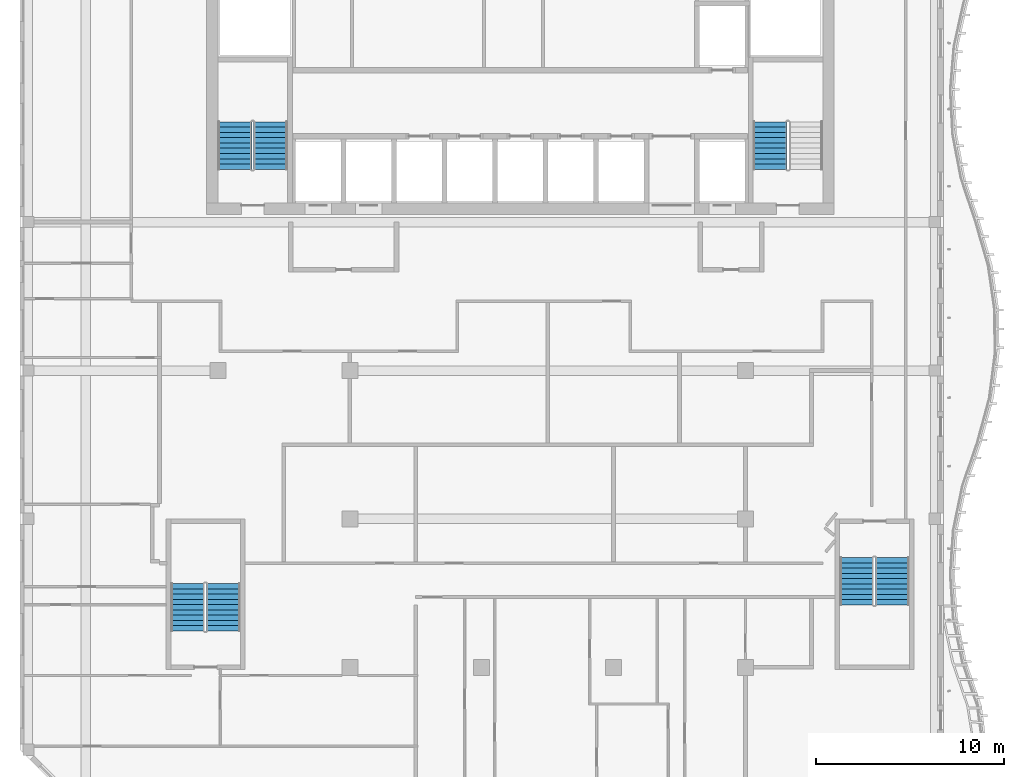
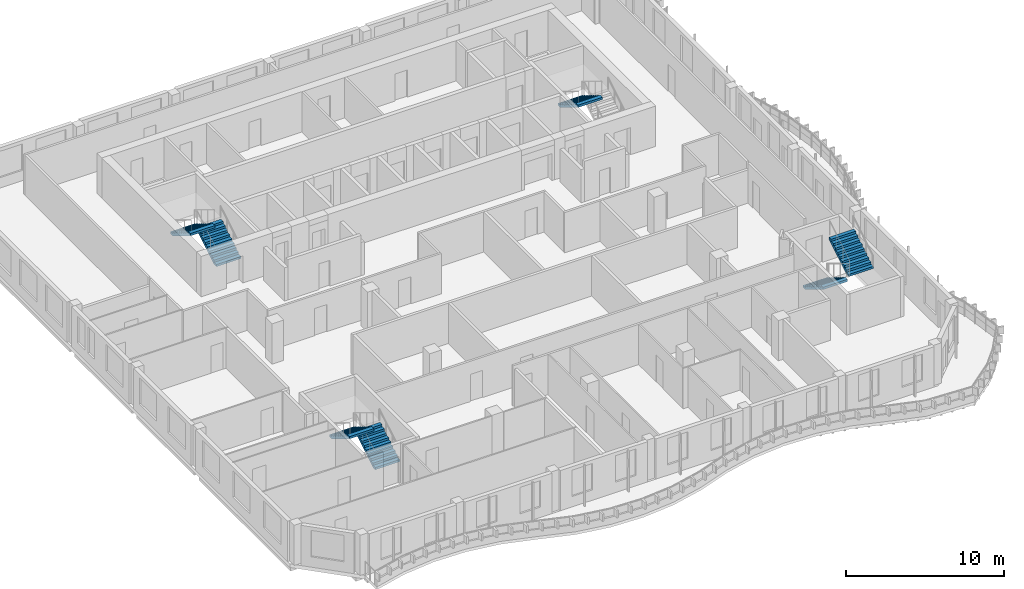
# One storey, part 9 of 17: 7 stair flights, 4 elements without a shape of their own.
"""IFC4 building model written with IfcOpenShell, lengths in metres."""

from ifc_helpers import new_model, si_unit, direction, frame, origin, place, context, subcontext, project, spatial, triangles, source, transform, mapped, material, type_object, element, aggregate, save


model = new_model("IFC4")

# Units and contexts
model_context = context("Model", 3, precision=1e-05, world=origin(), true_north=direction((0.0, 1.0)))
body_context = subcontext(model_context, "Body", "Model", "MODEL_VIEW")
ifc_project = project(units=[si_unit("LENGTHUNIT", "METRE"), si_unit("AREAUNIT", "SQUARE_METRE"), si_unit("VOLUMEUNIT", "CUBIC_METRE"), si_unit("PLANEANGLEUNIT", "RADIAN"), si_unit("MASSUNIT", "GRAM", prefix="KILO")], contexts=[model_context])

# Site, building, storey
site_placement = place(None, origin())
site = spatial("IfcSite", under=ifc_project, at=site_placement, CompositionType="ELEMENT")
building_placement = place(site_placement, origin())
building = spatial("IfcBuilding", under=site, at=building_placement, Name="Kilnfold Tower and Market Hall", CompositionType="ELEMENT")
storey_placement = place(building_placement, frame((0.0, 0.0, 308.60009765625)))
storey = spatial("IfcBuildingStorey", under=building, at=storey_placement, Name="L77", CompositionType="ELEMENT", Elevation=308.60009765625)

# Stair, stair flights
ifc_material_1 = material(Name="Concrete C40/50", Category="concrete")
stair_type = type_object("IfcStairType", Name="CORE STAIR 1800", PredefinedType="HALF_TURN_STAIR", material=ifc_material_1)
stair_1_placement = place(storey_placement, origin())
stair_1 = element("IfcStair", 1, at=stair_1_placement, inside=storey, type_object=stair_type, Name="L77 ST1", PredefinedType="HALF_TURN_STAIR")
ifc_material_2 = material(Name="Concrete C40/50", Category="concrete")
stair_flight_type = type_object("IfcStairFlightType", Name="CORE STAIR FLIGHT 1800", PredefinedType="STRAIGHT", material=ifc_material_2)
shared_shape = source(origin(), body_context, "Body", "Tessellation", [
    triangles([(0.0, 0.89990234375, 0.0), (0.0, 0.78759765625, 0.0), (0.0, 0.675048828125, 0.0), (0.0, 0.5625, 0.0), (0.0, 0.449951171875, 0.0), (0.0, 0.33740234375, 0.0), (0.0, 0.22509765625, 0.0), (0.0, 0.112548828125, 0.0), (0.0, 0.0, 0.0), (0.0, -0.112548828125, 0.0), (0.0, -0.22509765625, 0.0), (0.0, -0.33740234375, 0.0), (0.0, -0.449951171875, 0.0), (0.0, -0.5625, 0.0), (0.0, -0.675048828125, 0.0), (0.0, -0.78759765625, 0.0), (0.0, -0.89990234375, 0.0), (0.0, 0.89990234375, 0.169921875), (0.0, 0.78759765625, 0.169921875), (0.0, 0.675048828125, 0.169921875), (0.0, 0.5625, 0.169921875), (0.0, 0.449951171875, 0.169921875), (0.0, 0.33740234375, 0.169921875), (0.0, 0.22509765625, 0.169921875), (0.0, 0.112548828125, 0.169921875), (0.0, 0.0, 0.169921875), (0.0, -0.112548828125, 0.169921875), (0.0, -0.22509765625, 0.169921875), (0.0, -0.33740234375, 0.169921875), (0.0, -0.449951171875, 0.169921875), (0.0, -0.5625, 0.169921875), (0.0, -0.675048828125, 0.169921875), (0.0, -0.78759765625, 0.169921875), (0.0, -0.89990234375, 0.169921875), (0.280029296875, 0.89990234375, 0.169921875), (0.280029296875, 0.78759765625, 0.169921875), (0.280029296875, 0.675048828125, 0.169921875), (0.280029296875, 0.5625, 0.169921875), (0.280029296875, 0.449951171875, 0.169921875), (0.280029296875, 0.33740234375, 0.169921875), (0.280029296875, 0.22509765625, 0.169921875), (0.280029296875, 0.112548828125, 0.169921875), (0.280029296875, 0.0, 0.169921875), (0.280029296875, -0.112548828125, 0.169921875), (0.280029296875, -0.22509765625, 0.169921875), (0.280029296875, -0.33740234375, 0.169921875), (0.280029296875, -0.449951171875, 0.169921875), (0.280029296875, -0.5625, 0.169921875), (0.280029296875, -0.675048828125, 0.169921875), (0.280029296875, -0.78759765625, 0.169921875), (0.280029296875, -0.89990234375, 0.169921875), (0.280029296875, 0.89990234375, 0.340087890625), (0.280029296875, 0.78759765625, 0.340087890625), (0.280029296875, 0.675048828125, 0.340087890625), (0.280029296875, 0.5625, 0.340087890625), (0.280029296875, 0.449951171875, 0.340087890625), (0.280029296875, 0.33740234375, 0.340087890625), (0.280029296875, 0.22509765625, 0.340087890625), (0.280029296875, 0.112548828125, 0.340087890625), (0.280029296875, 0.0, 0.340087890625), (0.280029296875, -0.112548828125, 0.340087890625), (0.280029296875, -0.22509765625, 0.340087890625), (0.280029296875, -0.33740234375, 0.340087890625), (0.280029296875, -0.449951171875, 0.340087890625), (0.280029296875, -0.5625, 0.340087890625), (0.280029296875, -0.675048828125, 0.340087890625), (0.280029296875, -0.78759765625, 0.340087890625), (0.280029296875, -0.89990234375, 0.340087890625), (0.56005859375, 0.89990234375, 0.340087890625), (0.56005859375, 0.78759765625, 0.340087890625), (0.56005859375, 0.675048828125, 0.340087890625), (0.56005859375, 0.5625, 0.340087890625), (0.56005859375, 0.449951171875, 0.340087890625), (0.56005859375, 0.33740234375, 0.340087890625), (0.56005859375, 0.22509765625, 0.340087890625), (0.56005859375, 0.112548828125, 0.340087890625), (0.56005859375, 0.0, 0.340087890625), (0.56005859375, -0.112548828125, 0.340087890625), (0.56005859375, -0.22509765625, 0.340087890625), (0.56005859375, -0.33740234375, 0.340087890625), (0.56005859375, -0.449951171875, 0.340087890625), (0.56005859375, -0.5625, 0.340087890625), (0.56005859375, -0.675048828125, 0.340087890625), (0.56005859375, -0.78759765625, 0.340087890625), (0.56005859375, -0.89990234375, 0.340087890625), (0.56005859375, 0.89990234375, 0.510009765625), (0.56005859375, 0.78759765625, 0.510009765625), (0.56005859375, 0.675048828125, 0.510009765625), (0.56005859375, 0.5625, 0.510009765625), (0.56005859375, 0.449951171875, 0.510009765625), (0.56005859375, 0.33740234375, 0.510009765625), (0.56005859375, 0.22509765625, 0.510009765625), (0.56005859375, 0.112548828125, 0.510009765625), (0.56005859375, 0.0, 0.510009765625), (0.56005859375, -0.112548828125, 0.510009765625), (0.56005859375, -0.22509765625, 0.510009765625), (0.56005859375, -0.33740234375, 0.510009765625), (0.56005859375, -0.449951171875, 0.510009765625), (0.56005859375, -0.5625, 0.510009765625), (0.56005859375, -0.675048828125, 0.510009765625), (0.56005859375, -0.78759765625, 0.510009765625), (0.56005859375, -0.89990234375, 0.510009765625), (0.840087890625, 0.89990234375, 0.510009765625), (0.840087890625, 0.78759765625, 0.510009765625), (0.840087890625, 0.675048828125, 0.510009765625), (0.840087890625, 0.5625, 0.510009765625), (0.840087890625, 0.449951171875, 0.510009765625), (0.840087890625, 0.33740234375, 0.510009765625), (0.840087890625, 0.22509765625, 0.510009765625), (0.840087890625, 0.112548828125, 0.510009765625), (0.840087890625, 0.0, 0.510009765625), (0.840087890625, -0.112548828125, 0.510009765625), (0.840087890625, -0.22509765625, 0.510009765625), (0.840087890625, -0.33740234375, 0.510009765625), (0.840087890625, -0.449951171875, 0.510009765625), (0.840087890625, -0.5625, 0.510009765625), (0.840087890625, -0.675048828125, 0.510009765625), (0.840087890625, -0.78759765625, 0.510009765625), (0.840087890625, -0.89990234375, 0.510009765625), (0.840087890625, 0.89990234375, 0.679931640625), (0.840087890625, 0.78759765625, 0.679931640625), (0.840087890625, 0.675048828125, 0.679931640625), (0.840087890625, 0.5625, 0.679931640625), (0.840087890625, 0.449951171875, 0.679931640625), (0.840087890625, 0.33740234375, 0.679931640625), (0.840087890625, 0.22509765625, 0.679931640625), (0.840087890625, 0.112548828125, 0.679931640625), (0.840087890625, 0.0, 0.679931640625), (0.840087890625, -0.112548828125, 0.679931640625), (0.840087890625, -0.22509765625, 0.679931640625), (0.840087890625, -0.33740234375, 0.679931640625), (0.840087890625, -0.449951171875, 0.679931640625), (0.840087890625, -0.5625, 0.679931640625), (0.840087890625, -0.675048828125, 0.679931640625), (0.840087890625, -0.78759765625, 0.679931640625), (0.840087890625, -0.89990234375, 0.679931640625), (1.1201171875, 0.89990234375, 0.679931640625), (1.1201171875, 0.78759765625, 0.679931640625), (1.1201171875, 0.675048828125, 0.679931640625), (1.1201171875, 0.5625, 0.679931640625), (1.1201171875, 0.449951171875, 0.679931640625), (1.1201171875, 0.33740234375, 0.679931640625), (1.1201171875, 0.22509765625, 0.679931640625), (1.1201171875, 0.112548828125, 0.679931640625), (1.1201171875, 0.0, 0.679931640625), (1.1201171875, -0.112548828125, 0.679931640625), (1.1201171875, -0.22509765625, 0.679931640625), (1.1201171875, -0.33740234375, 0.679931640625), (1.1201171875, -0.449951171875, 0.679931640625), (1.1201171875, -0.5625, 0.679931640625), (1.1201171875, -0.675048828125, 0.679931640625), (1.1201171875, -0.78759765625, 0.679931640625), (1.1201171875, -0.89990234375, 0.679931640625), (1.1201171875, 0.89990234375, 0.85009765625), (1.1201171875, 0.78759765625, 0.85009765625), (1.1201171875, 0.675048828125, 0.85009765625), (1.1201171875, 0.5625, 0.85009765625), (1.1201171875, 0.449951171875, 0.85009765625), (1.1201171875, 0.33740234375, 0.85009765625), (1.1201171875, 0.22509765625, 0.85009765625), (1.1201171875, 0.112548828125, 0.85009765625), (1.1201171875, 0.0, 0.85009765625), (1.1201171875, -0.112548828125, 0.85009765625), (1.1201171875, -0.22509765625, 0.85009765625), (1.1201171875, -0.33740234375, 0.85009765625), (1.1201171875, -0.449951171875, 0.85009765625), (1.1201171875, -0.5625, 0.85009765625), (1.1201171875, -0.675048828125, 0.85009765625), (1.1201171875, -0.78759765625, 0.85009765625), (1.1201171875, -0.89990234375, 0.85009765625), (1.39990234375, 0.89990234375, 0.85009765625), (1.39990234375, 0.78759765625, 0.85009765625), (1.39990234375, 0.675048828125, 0.85009765625), (1.39990234375, 0.5625, 0.85009765625), (1.39990234375, 0.449951171875, 0.85009765625), (1.39990234375, 0.33740234375, 0.85009765625), (1.39990234375, 0.22509765625, 0.85009765625), (1.39990234375, 0.112548828125, 0.85009765625), (1.39990234375, 0.0, 0.85009765625), (1.39990234375, -0.112548828125, 0.85009765625), (1.39990234375, -0.22509765625, 0.85009765625), (1.39990234375, -0.33740234375, 0.85009765625), (1.39990234375, -0.449951171875, 0.85009765625), (1.39990234375, -0.5625, 0.85009765625), (1.39990234375, -0.675048828125, 0.85009765625), (1.39990234375, -0.78759765625, 0.85009765625), (1.39990234375, -0.89990234375, 0.85009765625), (1.39990234375, 0.89990234375, 1.02001953125), (1.39990234375, 0.78759765625, 1.02001953125), (1.39990234375, 0.675048828125, 1.02001953125), (1.39990234375, 0.5625, 1.02001953125), (1.39990234375, 0.449951171875, 1.02001953125), (1.39990234375, 0.33740234375, 1.02001953125), (1.39990234375, 0.22509765625, 1.02001953125), (1.39990234375, 0.112548828125, 1.02001953125), (1.39990234375, 0.0, 1.02001953125), (1.39990234375, -0.112548828125, 1.02001953125), (1.39990234375, -0.22509765625, 1.02001953125), (1.39990234375, -0.33740234375, 1.02001953125), (1.39990234375, -0.449951171875, 1.02001953125), (1.39990234375, -0.5625, 1.02001953125), (1.39990234375, -0.675048828125, 1.02001953125), (1.39990234375, -0.78759765625, 1.02001953125), (1.39990234375, -0.89990234375, 1.02001953125), (1.679931640625, 0.89990234375, 1.02001953125), (1.679931640625, 0.78759765625, 1.02001953125), (1.679931640625, 0.675048828125, 1.02001953125), (1.679931640625, 0.5625, 1.02001953125), (1.679931640625, 0.449951171875, 1.02001953125), (1.679931640625, 0.33740234375, 1.02001953125), (1.679931640625, 0.22509765625, 1.02001953125), (1.679931640625, 0.112548828125, 1.02001953125), (1.679931640625, 0.0, 1.02001953125), (1.679931640625, -0.112548828125, 1.02001953125), (1.679931640625, -0.22509765625, 1.02001953125), (1.679931640625, -0.33740234375, 1.02001953125), (1.679931640625, -0.449951171875, 1.02001953125), (1.679931640625, -0.5625, 1.02001953125), (1.679931640625, -0.675048828125, 1.02001953125), (1.679931640625, -0.78759765625, 1.02001953125), (1.679931640625, -0.89990234375, 1.02001953125), (1.679931640625, 0.89990234375, 1.18994140625), (1.679931640625, 0.78759765625, 1.18994140625), (1.679931640625, 0.675048828125, 1.18994140625), (1.679931640625, 0.5625, 1.18994140625), (1.679931640625, 0.449951171875, 1.18994140625), (1.679931640625, 0.33740234375, 1.18994140625), (1.679931640625, 0.22509765625, 1.18994140625), (1.679931640625, 0.112548828125, 1.18994140625), (1.679931640625, 0.0, 1.18994140625), (1.679931640625, -0.112548828125, 1.18994140625), (1.679931640625, -0.22509765625, 1.18994140625), (1.679931640625, -0.33740234375, 1.18994140625), (1.679931640625, -0.449951171875, 1.18994140625), (1.679931640625, -0.5625, 1.18994140625), (1.679931640625, -0.675048828125, 1.18994140625), (1.679931640625, -0.78759765625, 1.18994140625), (1.679931640625, -0.89990234375, 1.18994140625), (1.9599609375, 0.89990234375, 1.18994140625), (1.9599609375, 0.78759765625, 1.18994140625), (1.9599609375, 0.675048828125, 1.18994140625), (1.9599609375, 0.5625, 1.18994140625), (1.9599609375, 0.449951171875, 1.18994140625), (1.9599609375, 0.33740234375, 1.18994140625), (1.9599609375, 0.22509765625, 1.18994140625), (1.9599609375, 0.112548828125, 1.18994140625), (1.9599609375, 0.0, 1.18994140625), (1.9599609375, -0.112548828125, 1.18994140625), (1.9599609375, -0.22509765625, 1.18994140625), (1.9599609375, -0.33740234375, 1.18994140625), (1.9599609375, -0.449951171875, 1.18994140625), (1.9599609375, -0.5625, 1.18994140625), (1.9599609375, -0.675048828125, 1.18994140625), (1.9599609375, -0.78759765625, 1.18994140625), (1.9599609375, -0.89990234375, 1.18994140625), (1.9599609375, 0.89990234375, 1.360107421875), (1.9599609375, 0.78759765625, 1.360107421875), (1.9599609375, 0.675048828125, 1.360107421875), (1.9599609375, 0.5625, 1.360107421875), (1.9599609375, 0.449951171875, 1.360107421875), (1.9599609375, 0.33740234375, 1.360107421875), (1.9599609375, 0.22509765625, 1.360107421875), (1.9599609375, 0.112548828125, 1.360107421875), (1.9599609375, 0.0, 1.360107421875), (1.9599609375, -0.112548828125, 1.360107421875), (1.9599609375, -0.22509765625, 1.360107421875), (1.9599609375, -0.33740234375, 1.360107421875), (1.9599609375, -0.449951171875, 1.360107421875), (1.9599609375, -0.5625, 1.360107421875), (1.9599609375, -0.675048828125, 1.360107421875), (1.9599609375, -0.78759765625, 1.360107421875), (1.9599609375, -0.89990234375, 1.360107421875), (2.239990234375, 0.89990234375, 1.360107421875), (2.239990234375, 0.78759765625, 1.360107421875), (2.239990234375, 0.675048828125, 1.360107421875), (2.239990234375, 0.5625, 1.360107421875), (2.239990234375, 0.449951171875, 1.360107421875), (2.239990234375, 0.33740234375, 1.360107421875), (2.239990234375, 0.22509765625, 1.360107421875), (2.239990234375, 0.112548828125, 1.360107421875), (2.239990234375, 0.0, 1.360107421875), (2.239990234375, -0.112548828125, 1.360107421875), (2.239990234375, -0.22509765625, 1.360107421875), (2.239990234375, -0.33740234375, 1.360107421875), (2.239990234375, -0.449951171875, 1.360107421875), (2.239990234375, -0.5625, 1.360107421875), (2.239990234375, -0.675048828125, 1.360107421875), (2.239990234375, -0.78759765625, 1.360107421875), (2.239990234375, -0.89990234375, 1.360107421875), (2.239990234375, 0.89990234375, 1.530029296875), (2.239990234375, 0.78759765625, 1.530029296875), (2.239990234375, 0.675048828125, 1.530029296875), (2.239990234375, 0.5625, 1.530029296875), (2.239990234375, 0.449951171875, 1.530029296875), (2.239990234375, 0.33740234375, 1.530029296875), (2.239990234375, 0.22509765625, 1.530029296875), (2.239990234375, 0.112548828125, 1.530029296875), (2.239990234375, 0.0, 1.530029296875), (2.239990234375, -0.112548828125, 1.530029296875), (2.239990234375, -0.22509765625, 1.530029296875), (2.239990234375, -0.33740234375, 1.530029296875), (2.239990234375, -0.449951171875, 1.530029296875), (2.239990234375, -0.5625, 1.530029296875), (2.239990234375, -0.675048828125, 1.530029296875), (2.239990234375, -0.78759765625, 1.530029296875), (2.239990234375, -0.89990234375, 1.530029296875), (2.52001953125, 0.89990234375, 1.530029296875), (2.52001953125, 0.78759765625, 1.530029296875), (2.52001953125, 0.675048828125, 1.530029296875), (2.52001953125, 0.5625, 1.530029296875), (2.52001953125, 0.449951171875, 1.530029296875), (2.52001953125, 0.33740234375, 1.530029296875), (2.52001953125, 0.22509765625, 1.530029296875), (2.52001953125, 0.112548828125, 1.530029296875), (2.52001953125, 0.0, 1.530029296875), (2.52001953125, -0.112548828125, 1.530029296875), (2.52001953125, -0.22509765625, 1.530029296875), (2.52001953125, -0.33740234375, 1.530029296875), (2.52001953125, -0.449951171875, 1.530029296875), (2.52001953125, -0.5625, 1.530029296875), (2.52001953125, -0.675048828125, 1.530029296875), (2.52001953125, -0.78759765625, 1.530029296875), (2.52001953125, -0.89990234375, 1.530029296875), (2.52001953125, 0.89990234375, 1.354736328125), (2.52001953125, 0.78759765625, 1.354736328125), (2.52001953125, 0.675048828125, 1.354736328125), (2.52001953125, 0.5625, 1.354736328125), (2.52001953125, 0.449951171875, 1.354736328125), (2.52001953125, 0.33740234375, 1.354736328125), (2.52001953125, 0.22509765625, 1.354736328125), (2.52001953125, 0.112548828125, 1.354736328125), (2.52001953125, 0.0, 1.354736328125), (2.52001953125, -0.112548828125, 1.354736328125), (2.52001953125, -0.22509765625, 1.354736328125), (2.52001953125, -0.33740234375, 1.354736328125), (2.52001953125, -0.449951171875, 1.354736328125), (2.52001953125, -0.5625, 1.354736328125), (2.52001953125, -0.675048828125, 1.354736328125), (2.52001953125, -0.78759765625, 1.354736328125), (2.52001953125, -0.89990234375, 1.354736328125), (0.288818359375, 0.89990234375, 0.0), (0.288818359375, 0.78759765625, 0.0), (0.288818359375, 0.675048828125, 0.0), (0.288818359375, 0.5625, 0.0), (0.288818359375, 0.449951171875, 0.0), (0.288818359375, 0.33740234375, 0.0), (0.288818359375, 0.22509765625, 0.0), (0.288818359375, 0.112548828125, 0.0), (0.288818359375, 0.0, 0.0), (0.288818359375, -0.112548828125, 0.0), (0.288818359375, -0.22509765625, 0.0), (0.288818359375, -0.33740234375, 0.0), (0.288818359375, -0.449951171875, 0.0), (0.288818359375, -0.5625, 0.0), (0.288818359375, -0.675048828125, 0.0), (0.288818359375, -0.78759765625, 0.0), (0.288818359375, -0.89990234375, 0.0)], [[1, 324, 341], [17, 357, 340], [324, 290, 307], [340, 323, 306], [324, 273, 290], [340, 306, 289], [324, 256, 273], [340, 289, 272], [324, 239, 256], [340, 272, 255], [239, 205, 222], [255, 238, 221], [324, 205, 239], [340, 255, 221], [205, 171, 188], [221, 204, 187], [324, 171, 205], [340, 221, 187], [171, 137, 154], [187, 170, 153], [324, 137, 171], [340, 187, 153], [137, 103, 120], [153, 136, 119], [324, 103, 137], [340, 153, 119], [103, 69, 86], [119, 102, 85], [324, 69, 103], [340, 119, 85], [69, 35, 52], [85, 68, 51], [324, 35, 69], [340, 85, 51], [1, 35, 324], [17, 340, 51], [35, 1, 18], [51, 34, 17], [1, 19, 18], [1, 2, 19], [2, 20, 19], [2, 3, 20], [3, 21, 20], [3, 4, 21], [4, 22, 21], [4, 5, 22], [5, 23, 22], [5, 6, 23], [6, 24, 23], [6, 7, 24], [7, 25, 24], [7, 8, 25], [8, 26, 25], [8, 9, 26], [9, 27, 26], [9, 10, 27], [10, 28, 27], [10, 11, 28], [11, 29, 28], [11, 12, 29], [12, 30, 29], [12, 13, 30], [13, 31, 30], [13, 14, 31], [14, 32, 31], [14, 15, 32], [15, 33, 32], [15, 16, 33], [16, 34, 33], [16, 17, 34], [18, 36, 35], [18, 19, 36], [19, 37, 36], [19, 20, 37], [20, 38, 37], [20, 21, 38], [21, 39, 38], [21, 22, 39], [22, 40, 39], [22, 23, 40], [23, 41, 40], [23, 24, 41], [24, 42, 41], [24, 25, 42], [25, 43, 42], [25, 26, 43], [26, 44, 43], [26, 27, 44], [27, 45, 44], [27, 28, 45], [28, 46, 45], [28, 29, 46], [29, 47, 46], [29, 30, 47], [30, 48, 47], [30, 31, 48], [31, 49, 48], [31, 32, 49], [32, 50, 49], [32, 33, 50], [33, 51, 50], [33, 34, 51], [35, 53, 52], [35, 36, 53], [36, 54, 53], [36, 37, 54], [37, 55, 54], [37, 38, 55], [38, 56, 55], [38, 39, 56], [39, 57, 56], [39, 40, 57], [40, 58, 57], [40, 41, 58], [41, 59, 58], [41, 42, 59], [42, 60, 59], [42, 43, 60], [43, 61, 60], [43, 44, 61], [44, 62, 61], [44, 45, 62], [45, 63, 62], [45, 46, 63], [46, 64, 63], [46, 47, 64], [47, 65, 64], [47, 48, 65], [48, 66, 65], [48, 49, 66], [49, 67, 66], [49, 50, 67], [50, 68, 67], [50, 51, 68], [52, 70, 69], [52, 53, 70], [53, 71, 70], [53, 54, 71], [54, 72, 71], [54, 55, 72], [55, 73, 72], [55, 56, 73], [56, 74, 73], [56, 57, 74], [57, 75, 74], [57, 58, 75], [58, 76, 75], [58, 59, 76], [59, 77, 76], [59, 60, 77], [60, 78, 77], [60, 61, 78], [61, 79, 78], [61, 62, 79], [62, 80, 79], [62, 63, 80], [63, 81, 80], [63, 64, 81], [64, 82, 81], [64, 65, 82], [65, 83, 82], [65, 66, 83], [66, 84, 83], [66, 67, 84], [67, 85, 84], [67, 68, 85], [69, 87, 86], [69, 70, 87], [70, 88, 87], [70, 71, 88], [71, 89, 88], [71, 72, 89], [72, 90, 89], [72, 73, 90], [73, 91, 90], [73, 74, 91], [74, 92, 91], [74, 75, 92], [75, 93, 92], [75, 76, 93], [76, 94, 93], [76, 77, 94], [77, 95, 94], [77, 78, 95], [78, 96, 95], [78, 79, 96], [79, 97, 96], [79, 80, 97], [80, 98, 97], [80, 81, 98], [81, 99, 98], [81, 82, 99], [82, 100, 99], [82, 83, 100], [83, 101, 100], [83, 84, 101], [84, 102, 101], [84, 85, 102], [86, 104, 103], [86, 87, 104], [87, 105, 104], [87, 88, 105], [88, 106, 105], [88, 89, 106], [89, 107, 106], [89, 90, 107], [90, 108, 107], [90, 91, 108], [91, 109, 108], [91, 92, 109], [92, 110, 109], [92, 93, 110], [93, 111, 110], [93, 94, 111], [94, 112, 111], [94, 95, 112], [95, 113, 112], [95, 96, 113], [96, 114, 113], [96, 97, 114], [97, 115, 114], [97, 98, 115], [98, 116, 115], [98, 99, 116], [99, 117, 116], [99, 100, 117], [100, 118, 117], [100, 101, 118], [101, 119, 118], [101, 102, 119], [103, 121, 120], [103, 104, 121], [104, 122, 121], [104, 105, 122], [105, 123, 122], [105, 106, 123], [106, 124, 123], [106, 107, 124], [107, 125, 124], [107, 108, 125], [108, 126, 125], [108, 109, 126], [109, 127, 126], [109, 110, 127], [110, 128, 127], [110, 111, 128], [111, 129, 128], [111, 112, 129], [112, 130, 129], [112, 113, 130], [113, 131, 130], [113, 114, 131], [114, 132, 131], [114, 115, 132], [115, 133, 132], [115, 116, 133], [116, 134, 133], [116, 117, 134], [117, 135, 134], [117, 118, 135], [118, 136, 135], [118, 119, 136], [120, 138, 137], [120, 121, 138], [121, 139, 138], [121, 122, 139], [122, 140, 139], [122, 123, 140], [123, 141, 140], [123, 124, 141], [124, 142, 141], [124, 125, 142], [125, 143, 142], [125, 126, 143], [126, 144, 143], [126, 127, 144], [127, 145, 144], [127, 128, 145], [128, 146, 145], [128, 129, 146], [129, 147, 146], [129, 130, 147], [130, 148, 147], [130, 131, 148], [131, 149, 148], [131, 132, 149], [132, 150, 149], [132, 133, 150], [133, 151, 150], [133, 134, 151], [134, 152, 151], [134, 135, 152], [135, 153, 152], [135, 136, 153], [137, 155, 154], [137, 138, 155], [138, 156, 155], [138, 139, 156], [139, 157, 156], [139, 140, 157], [140, 158, 157], [140, 141, 158], [141, 159, 158], [141, 142, 159], [142, 160, 159], [142, 143, 160], [143, 161, 160], [143, 144, 161], [144, 162, 161], [144, 145, 162], [145, 163, 162], [145, 146, 163], [146, 164, 163], [146, 147, 164], [147, 165, 164], [147, 148, 165], [148, 166, 165], [148, 149, 166], [149, 167, 166], [149, 150, 167], [150, 168, 167], [150, 151, 168], [151, 169, 168], [151, 152, 169], [152, 170, 169], [152, 153, 170], [154, 172, 171], [154, 155, 172], [155, 173, 172], [155, 156, 173], [156, 174, 173], [156, 157, 174], [157, 175, 174], [157, 158, 175], [158, 176, 175], [158, 159, 176], [159, 177, 176], [159, 160, 177], [160, 178, 177], [160, 161, 178], [161, 179, 178], [161, 162, 179], [162, 180, 179], [162, 163, 180], [163, 181, 180], [163, 164, 181], [164, 182, 181], [164, 165, 182], [165, 183, 182], [165, 166, 183], [166, 184, 183], [166, 167, 184], [167, 185, 184], [167, 168, 185], [168, 186, 185], [168, 169, 186], [169, 187, 186], [169, 170, 187], [171, 189, 188], [171, 172, 189], [172, 190, 189], [172, 173, 190], [173, 191, 190], [173, 174, 191], [174, 192, 191], [174, 175, 192], [175, 193, 192], [175, 176, 193], [176, 194, 193], [176, 177, 194], [177, 195, 194], [177, 178, 195], [178, 196, 195], [178, 179, 196], [179, 197, 196], [179, 180, 197], [180, 198, 197], [180, 181, 198], [181, 199, 198], [181, 182, 199], [182, 200, 199], [182, 183, 200], [183, 201, 200], [183, 184, 201], [184, 202, 201], [184, 185, 202], [185, 203, 202], [185, 186, 203], [186, 204, 203], [186, 187, 204], [188, 206, 205], [188, 189, 206], [189, 207, 206], [189, 190, 207], [190, 208, 207], [190, 191, 208], [191, 209, 208], [191, 192, 209], [192, 210, 209], [192, 193, 210], [193, 211, 210], [193, 194, 211], [194, 212, 211], [194, 195, 212], [195, 213, 212], [195, 196, 213], [196, 214, 213], [196, 197, 214], [197, 215, 214], [197, 198, 215], [198, 216, 215], [198, 199, 216], [199, 217, 216], [199, 200, 217], [200, 218, 217], [200, 201, 218], [201, 219, 218], [201, 202, 219], [202, 220, 219], [202, 203, 220], [203, 221, 220], [203, 204, 221], [205, 223, 222], [205, 206, 223], [206, 224, 223], [206, 207, 224], [207, 225, 224], [207, 208, 225], [208, 226, 225], [208, 209, 226], [209, 227, 226], [209, 210, 227], [210, 228, 227], [210, 211, 228], [211, 229, 228], [211, 212, 229], [212, 230, 229], [212, 213, 230], [213, 231, 230], [213, 214, 231], [214, 232, 231], [214, 215, 232], [215, 233, 232], [215, 216, 233], [216, 234, 233], [216, 217, 234], [217, 235, 234], [217, 218, 235], [218, 236, 235], [218, 219, 236], [219, 237, 236], [219, 220, 237], [220, 238, 237], [220, 221, 238], [222, 240, 239], [222, 223, 240], [223, 241, 240], [223, 224, 241], [224, 242, 241], [224, 225, 242], [225, 243, 242], [225, 226, 243], [226, 244, 243], [226, 227, 244], [227, 245, 244], [227, 228, 245], [228, 246, 245], [228, 229, 246], [229, 247, 246], [229, 230, 247], [230, 248, 247], [230, 231, 248], [231, 249, 248], [231, 232, 249], [232, 250, 249], [232, 233, 250], [233, 251, 250], [233, 234, 251], [234, 252, 251], [234, 235, 252], [235, 253, 252], [235, 236, 253], [236, 254, 253], [236, 237, 254], [237, 255, 254], [237, 238, 255], [239, 257, 256], [239, 240, 257], [240, 258, 257], [240, 241, 258], [241, 259, 258], [241, 242, 259], [242, 260, 259], [242, 243, 260], [243, 261, 260], [243, 244, 261], [244, 262, 261], [244, 245, 262], [245, 263, 262], [245, 246, 263], [246, 264, 263], [246, 247, 264], [247, 265, 264], [247, 248, 265], [248, 266, 265], [248, 249, 266], [249, 267, 266], [249, 250, 267], [250, 268, 267], [250, 251, 268], [251, 269, 268], [251, 252, 269], [252, 270, 269], [252, 253, 270], [253, 271, 270], [253, 254, 271], [254, 272, 271], [254, 255, 272], [256, 274, 273], [256, 257, 274], [257, 275, 274], [257, 258, 275], [258, 276, 275], [258, 259, 276], [259, 277, 276], [259, 260, 277], [260, 278, 277], [260, 261, 278], [261, 279, 278], [261, 262, 279], [262, 280, 279], [262, 263, 280], [263, 281, 280], [263, 264, 281], [264, 282, 281], [264, 265, 282], [265, 283, 282], [265, 266, 283], [266, 284, 283], [266, 267, 284], [267, 285, 284], [267, 268, 285], [268, 286, 285], [268, 269, 286], [269, 287, 286], [269, 270, 287], [270, 288, 287], [270, 271, 288], [271, 289, 288], [271, 272, 289], [273, 291, 290], [273, 274, 291], [274, 292, 291], [274, 275, 292], [275, 293, 292], [275, 276, 293], [276, 294, 293], [276, 277, 294], [277, 295, 294], [277, 278, 295], [278, 296, 295], [278, 279, 296], [279, 297, 296], [279, 280, 297], [280, 298, 297], [280, 281, 298], [281, 299, 298], [281, 282, 299], [282, 300, 299], [282, 283, 300], [283, 301, 300], [283, 284, 301], [284, 302, 301], [284, 285, 302], [285, 303, 302], [285, 286, 303], [286, 304, 303], [286, 287, 304], [287, 305, 304], [287, 288, 305], [288, 306, 305], [288, 289, 306], [290, 308, 307], [290, 291, 308], [291, 309, 308], [291, 292, 309], [292, 310, 309], [292, 293, 310], [293, 311, 310], [293, 294, 311], [294, 312, 311], [294, 295, 312], [295, 313, 312], [295, 296, 313], [296, 314, 313], [296, 297, 314], [297, 315, 314], [297, 298, 315], [298, 316, 315], [298, 299, 316], [299, 317, 316], [299, 300, 317], [300, 318, 317], [300, 301, 318], [301, 319, 318], [301, 302, 319], [302, 320, 319], [302, 303, 320], [303, 321, 320], [303, 304, 321], [304, 322, 321], [304, 305, 322], [305, 323, 322], [305, 306, 323], [307, 325, 324], [307, 308, 325], [308, 326, 325], [308, 309, 326], [309, 327, 326], [309, 310, 327], [310, 328, 327], [310, 311, 328], [311, 329, 328], [311, 312, 329], [312, 330, 329], [312, 313, 330], [313, 331, 330], [313, 314, 331], [314, 332, 331], [314, 315, 332], [315, 333, 332], [315, 316, 333], [316, 334, 333], [316, 317, 334], [317, 335, 334], [317, 318, 335], [318, 336, 335], [318, 319, 336], [319, 337, 336], [319, 320, 337], [320, 338, 337], [320, 321, 338], [321, 339, 338], [321, 322, 339], [322, 340, 339], [322, 323, 340], [324, 342, 341], [324, 325, 342], [325, 343, 342], [325, 326, 343], [326, 344, 343], [326, 327, 344], [327, 345, 344], [327, 328, 345], [328, 346, 345], [328, 329, 346], [329, 347, 346], [329, 330, 347], [330, 348, 347], [330, 331, 348], [331, 349, 348], [331, 332, 349], [332, 350, 349], [332, 333, 350], [333, 351, 350], [333, 334, 351], [334, 352, 351], [334, 335, 352], [335, 353, 352], [335, 336, 353], [336, 354, 353], [336, 337, 354], [337, 355, 354], [337, 338, 355], [338, 356, 355], [338, 339, 356], [339, 357, 356], [339, 340, 357], [341, 2, 1], [341, 342, 2], [342, 3, 2], [342, 343, 3], [343, 4, 3], [343, 344, 4], [344, 5, 4], [344, 345, 5], [345, 6, 5], [345, 346, 6], [346, 7, 6], [346, 347, 7], [347, 8, 7], [347, 348, 8], [348, 9, 8], [348, 349, 9], [349, 10, 9], [349, 350, 10], [350, 11, 10], [350, 351, 11], [351, 12, 11], [351, 352, 12], [352, 13, 12], [352, 353, 13], [353, 14, 13], [353, 354, 14], [354, 15, 14], [354, 355, 15], [355, 16, 15], [355, 356, 16], [356, 17, 16], [356, 357, 17]], closed=True),
])
stair_flight_1_placement = place(storey_placement, frame((-12.199951171875, 10.800048828125, 0.0), z_axis=(0.0, 0.0, 1.0), x_axis=(0.0, 1.0, 0.0)))
stair_flight_1 = element("IfcStairFlight", 2, at=stair_flight_1_placement, type_object=stair_flight_type, Name="ST1 flight 1", NumberOfRisers=10, NumberOfTreads=9, PredefinedType="STRAIGHT", RiserHeight=0.17, TreadLength=0.28, context=body_context, shape_type="MappedRepresentation", body=[
    mapped(shared_shape, transform((0.0, 0.0, 0.0))),
])
stair_flight_2_placement = place(storey_placement, frame((-14.10009765625, 13.320068359375, 1.699951171875), z_axis=(0.0, 0.0, 1.0), x_axis=(0.0, -1.0, 0.0)))
stair_flight_2 = element("IfcStairFlight", 3, at=stair_flight_2_placement, type_object=stair_flight_type, Name="ST1 flight 2", NumberOfRisers=10, NumberOfTreads=9, PredefinedType="STRAIGHT", RiserHeight=0.17, TreadLength=0.28, context=body_context, shape_type="MappedRepresentation", body=[
    mapped(shared_shape, transform((0.0, 0.0, 0.0))),
])
aggregate(stair_1, [stair_flight_1, stair_flight_2])

# Stair, stair flight
stair_2_placement = place(storey_placement, origin())
stair_2 = element("IfcStair", 4, at=stair_2_placement, inside=storey, type_object=stair_type, Name="L77 ST2", PredefinedType="HALF_TURN_STAIR")
stair_flight_3_placement = place(storey_placement, frame((14.300048828125, 13.320068359375, 1.699951171875), z_axis=(0.0, 0.0, 1.0), x_axis=(0.0, -1.0, 0.0)))
stair_flight_3 = element("IfcStairFlight", 5, at=stair_flight_3_placement, type_object=stair_flight_type, Name="ST2 flight 2", NumberOfRisers=10, NumberOfTreads=9, PredefinedType="STRAIGHT", RiserHeight=0.17, TreadLength=0.28, context=body_context, shape_type="MappedRepresentation", body=[
    mapped(shared_shape, transform((0.0, 0.0, 0.0))),
])
aggregate(stair_2, [stair_flight_3])

# Stair, stair flights
stair_3_placement = place(storey_placement, origin())
stair_3 = element("IfcStair", 6, at=stair_3_placement, inside=storey, type_object=stair_type, Name="L77 ST3", PredefinedType="HALF_TURN_STAIR")
stair_flight_4_placement = place(storey_placement, frame((-14.699951171875, -13.699951171875, 0.0), z_axis=(0.0, 0.0, 1.0), x_axis=(0.0, 1.0, 0.0)))
stair_flight_4 = element("IfcStairFlight", 7, at=stair_flight_4_placement, type_object=stair_flight_type, Name="ST3 flight 1", NumberOfRisers=10, NumberOfTreads=9, PredefinedType="STRAIGHT", RiserHeight=0.17, TreadLength=0.28, context=body_context, shape_type="MappedRepresentation", body=[
    mapped(shared_shape, transform((0.0, 0.0, 0.0))),
])
stair_flight_5_placement = place(storey_placement, frame((-16.60009765625, -11.179931640625, 1.699951171875), z_axis=(0.0, 0.0, 1.0), x_axis=(0.0, -1.0, 0.0)))
stair_flight_5 = element("IfcStairFlight", 8, at=stair_flight_5_placement, type_object=stair_flight_type, Name="ST3 flight 2", NumberOfRisers=10, NumberOfTreads=9, PredefinedType="STRAIGHT", RiserHeight=0.17, TreadLength=0.28, context=body_context, shape_type="MappedRepresentation", body=[
    mapped(shared_shape, transform((0.0, 0.0, 0.0))),
])
aggregate(stair_3, [stair_flight_4, stair_flight_5])

stair_4_placement = place(storey_placement, origin())
stair_4 = element("IfcStair", 9, at=stair_4_placement, inside=storey, type_object=stair_type, Name="L77 ST4", PredefinedType="HALF_TURN_STAIR")
stair_flight_6_placement = place(storey_placement, frame((18.89990234375, -9.800048828125, 0.0), z_axis=(0.0, 0.0, 1.0), x_axis=(0.0, -1.0, 0.0)))
stair_flight_6 = element("IfcStairFlight", 10, at=stair_flight_6_placement, type_object=stair_flight_type, Name="ST4 flight 1", NumberOfRisers=10, NumberOfTreads=9, PredefinedType="STRAIGHT", RiserHeight=0.17, TreadLength=0.28, context=body_context, shape_type="MappedRepresentation", body=[
    mapped(shared_shape, transform((0.0, 0.0, 0.0))),
])
stair_flight_7_placement = place(storey_placement, frame((20.800048828125, -12.320068359375, 1.699951171875), z_axis=(0.0, 0.0, 1.0), x_axis=(0.0, 1.0, 0.0)))
stair_flight_7 = element("IfcStairFlight", 11, at=stair_flight_7_placement, type_object=stair_flight_type, Name="ST4 flight 2", NumberOfRisers=10, NumberOfTreads=9, PredefinedType="STRAIGHT", RiserHeight=0.17, TreadLength=0.28, context=body_context, shape_type="MappedRepresentation", body=[
    mapped(shared_shape, transform((0.0, 0.0, 0.0))),
])
aggregate(stair_4, [stair_flight_6, stair_flight_7])

save(model, "model.ifc")
